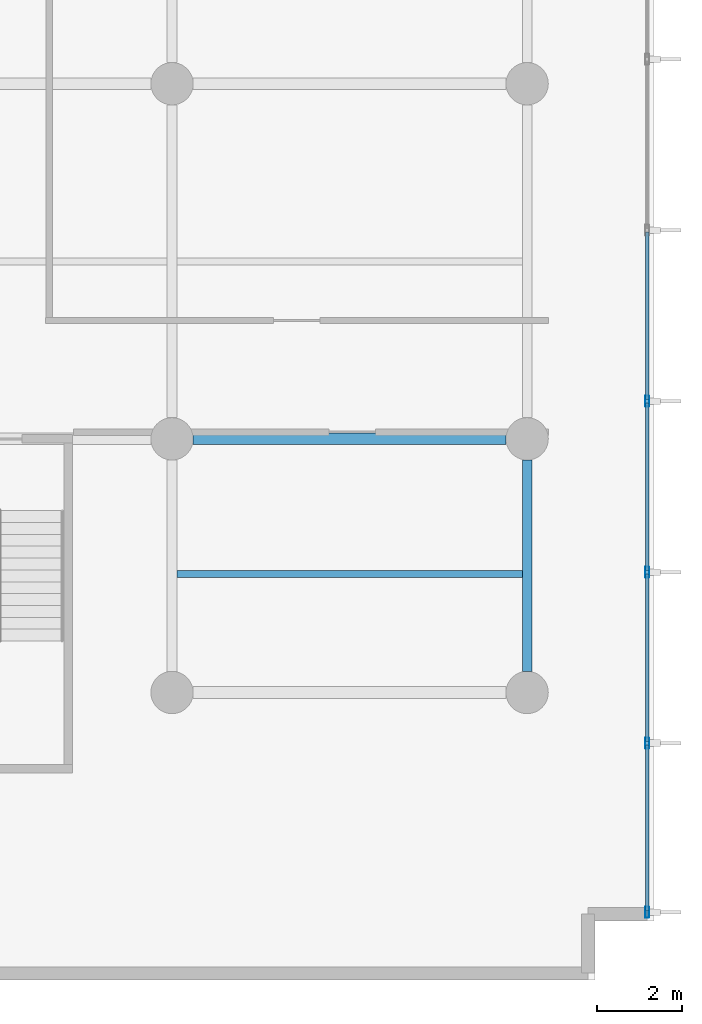
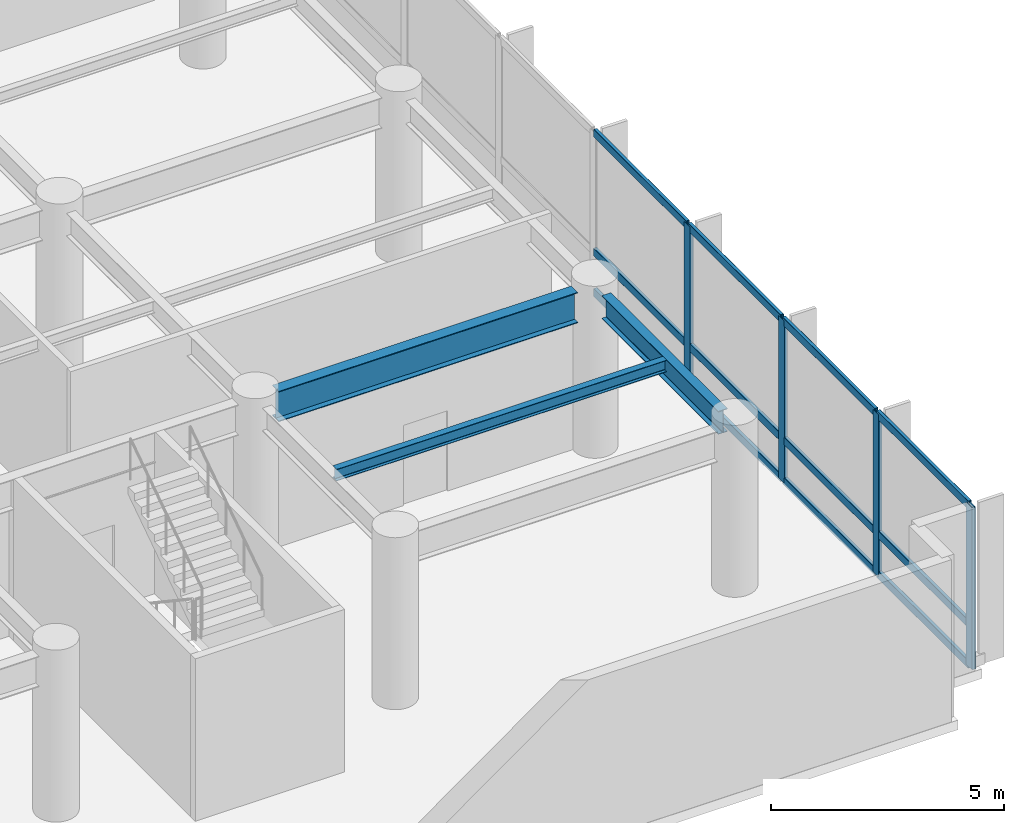
# One storey, part 7 of 26: 16 members, 3 beams, 1 element without a shape of its own.
"""IFC4 building model written with IfcOpenShell, lengths in metres."""

from ifc_helpers import new_model, si_unit, direction, frame, origin, origin_2d, place, context, subcontext, project, spatial, hollow_rectangle, i_section, extrude, material, layer, layer_set, material_profile, profile_set, type_object, element, aggregate, save


model = new_model("IFC4")

# Units and contexts
model_context = context("Model", 3, precision=1e-05, world=origin(), true_north=direction((0.0, 1.0)))
body_context = subcontext(model_context, "Body", "Model", "MODEL_VIEW")
ifc_project = project(units=[si_unit("LENGTHUNIT", "METRE"), si_unit("AREAUNIT", "SQUARE_METRE"), si_unit("VOLUMEUNIT", "CUBIC_METRE"), si_unit("PLANEANGLEUNIT", "RADIAN"), si_unit("MASSUNIT", "GRAM", prefix="KILO")], contexts=[model_context])

# Site, building, storey
site_placement = place(None, origin())
site = spatial("IfcSite", under=ifc_project, at=site_placement, CompositionType="ELEMENT")
building_placement = place(site_placement, origin())
building = spatial("IfcBuilding", under=site, at=building_placement, Name="Varnakote Quay Hospital", CompositionType="ELEMENT")
storey_placement = place(building_placement, frame((0.0, 0.0, 4.5)))
storey = spatial("IfcBuildingStorey", under=building, at=storey_placement, Name="L01", CompositionType="ELEMENT", Elevation=4.5)

# Beams
ifc_material_1 = material(Name="Structural steel AS/NZS 3679.1 Grade 350 L0 (fy 340 MPa)", Category="steel")
ifc_material_profile_1 = material_profile(ifc_material_1, i_section(OverallWidth=0.22802734375, OverallDepth=0.60205078125, WebThickness=0.010498046875, FlangeThickness=0.014892578125, FilletRadius=0.013916015625, at=origin_2d()), Name="610UB101")
ifc_profile_set_1 = profile_set([ifc_material_profile_1], Name="Structural steel AS/NZS 3679.1 Grade 350 L0 (fy 340 MPa)")
beam_type_1 = type_object("IfcBeamType", Name="BM-STL-610UB101", PredefinedType="BEAM", material=ifc_profile_set_1)
beam_1_placement = place(storey_placement, frame((84.0, 6.5, 3.948974609375), z_axis=(0.0, 1.0, 0.0), x_axis=(-1.0, 0.0, 0.0)))
element("IfcBeam", 1, at=beam_1_placement, inside=storey, type_object=beam_type_1, Name="L01 Primary Tie Beam", PredefinedType="BEAM", context=body_context, shape_type="SweptSolid", body=[
    extrude(i_section(OverallWidth=0.22802734375, OverallDepth=0.60205078125, WebThickness=0.010498046875, FlangeThickness=0.014892578125, FilletRadius=0.013916015625, at=origin_2d()), origin(), (0.0, 0.0, 1.0), 5.0),
])
ifc_material_2 = material(Name="Structural steel AS/NZS 3678 Grade 350 (fy 340 MPa)", Category="steel")
ifc_material_profile_2 = material_profile(ifc_material_2, i_section(OverallWidth=0.27490234375, OverallDepth=0.800048828125, WebThickness=0.010009765625, FlangeThickness=0.02001953125, at=origin_2d()), Name="800WB146")
ifc_profile_set_2 = profile_set([ifc_material_profile_2], Name="Structural steel AS/NZS 3678 Grade 350 (fy 340 MPa)")
beam_type_2 = type_object("IfcBeamType", Name="BM-STL-800WB146", PredefinedType="BEAM", material=ifc_profile_set_2)
beam_2_placement = place(storey_placement, frame((76.10009765625, 12.0, 3.85009765625), z_axis=(1.0, 0.0, 0.0), x_axis=(0.0, 1.0, 0.0)))
element("IfcBeam", 2, at=beam_2_placement, inside=storey, type_object=beam_type_2, Name="L01 Primary Floor Beam", PredefinedType="BEAM", context=body_context, shape_type="SweptSolid", body=[
    extrude(i_section(OverallWidth=0.27490234375, OverallDepth=0.800048828125, WebThickness=0.010009765625, FlangeThickness=0.02001953125, at=origin_2d()), origin(), (0.0, 0.0, 1.0), 7.39990234375),
])

# Curtain wall, members
ifc_material_3 = material(Name="Anodised aluminium 6063-T6 Bronze", Category="aluminium")
ifc_layer = layer(ifc_material_3, 0.175048828125)
ifc_layer_set = layer_set([ifc_layer], Name="Anodised aluminium 6063-T6 Bronze")
curtain_wall_type = type_object("IfcCurtainWallType", Name="CW-SYS-1", PredefinedType="NOTDEFINED", material=ifc_layer_set)
curtain_wall_placement = place(storey_placement, origin())
curtain_wall = element("IfcCurtainWall", 3, at=curtain_wall_placement, inside=storey, type_object=curtain_wall_type, Name="L01 Unitised Bronze Curtain Wall 1", PredefinedType="NOTDEFINED")
ifc_material_4 = material(Name="Anodised aluminium 6063-T6 Bronze", Category="aluminium")
ifc_material_profile_3 = material_profile(ifc_material_4, hollow_rectangle(XDim=0.0849609375, YDim=0.260009765625, WallThickness=0.0048828125, InnerFilletRadius=0.0048828125, OuterFilletRadius=0.010009765625, at=origin_2d()), Name="CW-MULL-260x85")
ifc_profile_set_3 = profile_set([ifc_material_profile_3], Name="Anodised aluminium 6063-T6 Bronze")
member_type_1 = type_object("IfcMemberType", Name="CW-MULL-260x85", PredefinedType="MULLION", material=ifc_profile_set_3)
member_1_placement = place(storey_placement, frame((86.840087890625, 0.802490234375, 0.0), z_axis=(0.0, 0.0, 1.0), x_axis=(-1.0, 0.0, 0.0)))
member_1 = element("IfcMember", 4, at=member_1_placement, type_object=member_type_1, Name="-1-L01-1 mullion 1", PredefinedType="MULLION", context=body_context, shape_type="SweptSolid", body=[
    extrude(hollow_rectangle(XDim=0.0849609375, YDim=0.260009765625, WallThickness=0.0048828125, InnerFilletRadius=0.0048828125, OuterFilletRadius=0.010009765625, at=origin_2d()), origin(), (0.0, 0.0, 1.0), 4.25),
])
member_2_placement = place(storey_placement, frame((86.840087890625, 4.8037109375, 0.0), z_axis=(0.0, 0.0, 1.0), x_axis=(-1.0, 0.0, 0.0)))
member_2 = element("IfcMember", 5, at=member_2_placement, type_object=member_type_1, Name="-1-L01-1 mullion 2", PredefinedType="MULLION", context=body_context, shape_type="SweptSolid", body=[
    extrude(hollow_rectangle(XDim=0.0849609375, YDim=0.260009765625, WallThickness=0.0048828125, InnerFilletRadius=0.0048828125, OuterFilletRadius=0.010009765625, at=origin_2d()), origin(), (0.0, 0.0, 1.0), 4.25),
])
member_3_placement = place(storey_placement, frame((86.840087890625, 8.84716796875, 0.0), z_axis=(0.0, 0.0, 1.0), x_axis=(-1.0, 0.0, 0.0)))
member_3 = element("IfcMember", 6, at=member_3_placement, type_object=member_type_1, Name="-1-L01-1 mullion 3", PredefinedType="MULLION", context=body_context, shape_type="SweptSolid", body=[
    extrude(hollow_rectangle(XDim=0.0849609375, YDim=0.260009765625, WallThickness=0.0048828125, InnerFilletRadius=0.0048828125, OuterFilletRadius=0.010009765625, at=origin_2d()), origin(), (0.0, 0.0, 1.0), 4.25),
])
member_4_placement = place(storey_placement, frame((86.840087890625, 12.890869140625, 0.0), z_axis=(0.0, 0.0, 1.0), x_axis=(-1.0, 0.0, 0.0)))
member_4 = element("IfcMember", 7, at=member_4_placement, type_object=member_type_1, Name="-1-L01-1 mullion 4", PredefinedType="MULLION", context=body_context, shape_type="SweptSolid", body=[
    extrude(hollow_rectangle(XDim=0.0849609375, YDim=0.260009765625, WallThickness=0.0048828125, InnerFilletRadius=0.0048828125, OuterFilletRadius=0.010009765625, at=origin_2d()), origin(), (0.0, 0.0, 1.0), 4.25),
])
ifc_material_5 = material(Name="Anodised aluminium 6063-T6 Bronze", Category="aluminium")
ifc_material_profile_4 = material_profile(ifc_material_5, hollow_rectangle(XDim=0.0849609375, YDim=0.2099609375, WallThickness=0.00439453125, InnerFilletRadius=0.00439453125, OuterFilletRadius=0.009033203125, at=origin_2d()), Name="CW-TRAN-210x85")
ifc_profile_set_4 = profile_set([ifc_material_profile_4], Name="Anodised aluminium 6063-T6 Bronze")
member_type_2 = type_object("IfcMemberType", Name="CW-TRAN-210x85", PredefinedType="USERDEFINED", material=ifc_profile_set_4)
member_5_placement = place(storey_placement, frame((86.840087890625, 0.844970703125, 0.04248046875), z_axis=(0.0, 1.0, 0.0), x_axis=(-1.0, 0.0, 0.0)))
member_5 = element("IfcMember", 8, at=member_5_placement, type_object=member_type_2, Name="-1-L01-1 transom 1.1", ObjectType="TRANSOM", PredefinedType="USERDEFINED", context=body_context, shape_type="SweptSolid", body=[
    extrude(hollow_rectangle(XDim=0.0849609375, YDim=0.2099609375, WallThickness=0.00439453125, InnerFilletRadius=0.00439453125, OuterFilletRadius=0.009033203125, at=origin_2d()), origin(), (0.0, 0.0, 1.0), 3.916259765625),
])
member_6_placement = place(storey_placement, frame((86.840087890625, 0.844970703125, 1.10009765625), z_axis=(0.0, 1.0, 0.0), x_axis=(-1.0, 0.0, 0.0)))
member_6 = element("IfcMember", 9, at=member_6_placement, type_object=member_type_2, Name="-1-L01-1 transom 1.2", ObjectType="TRANSOM", PredefinedType="USERDEFINED", context=body_context, shape_type="SweptSolid", body=[
    extrude(hollow_rectangle(XDim=0.0849609375, YDim=0.2099609375, WallThickness=0.00439453125, InnerFilletRadius=0.00439453125, OuterFilletRadius=0.009033203125, at=origin_2d()), origin(), (0.0, 0.0, 1.0), 3.916259765625),
])
member_7_placement = place(storey_placement, frame((86.840087890625, 0.844970703125, 4.20751953125), z_axis=(0.0, 1.0, 0.0), x_axis=(-1.0, 0.0, 0.0)))
member_7 = element("IfcMember", 10, at=member_7_placement, type_object=member_type_2, Name="-1-L01-1 transom 1.3", ObjectType="TRANSOM", PredefinedType="USERDEFINED", context=body_context, shape_type="SweptSolid", body=[
    extrude(hollow_rectangle(XDim=0.0849609375, YDim=0.2099609375, WallThickness=0.00439453125, InnerFilletRadius=0.00439453125, OuterFilletRadius=0.009033203125, at=origin_2d()), origin(), (0.0, 0.0, 1.0), 3.916259765625),
])
member_8_placement = place(storey_placement, frame((86.840087890625, 4.84619140625, 0.04248046875), z_axis=(0.0, 1.0, 0.0), x_axis=(-1.0, 0.0, 0.0)))
member_8 = element("IfcMember", 11, at=member_8_placement, type_object=member_type_2, Name="-1-L01-1 transom 2.1", ObjectType="TRANSOM", PredefinedType="USERDEFINED", context=body_context, shape_type="SweptSolid", body=[
    extrude(hollow_rectangle(XDim=0.0849609375, YDim=0.2099609375, WallThickness=0.00439453125, InnerFilletRadius=0.00439453125, OuterFilletRadius=0.009033203125, at=origin_2d()), origin(), (0.0, 0.0, 1.0), 3.95849609375),
])
member_9_placement = place(storey_placement, frame((86.840087890625, 4.84619140625, 1.10009765625), z_axis=(0.0, 1.0, 0.0), x_axis=(-1.0, 0.0, 0.0)))
member_9 = element("IfcMember", 12, at=member_9_placement, type_object=member_type_2, Name="-1-L01-1 transom 2.2", ObjectType="TRANSOM", PredefinedType="USERDEFINED", context=body_context, shape_type="SweptSolid", body=[
    extrude(hollow_rectangle(XDim=0.0849609375, YDim=0.2099609375, WallThickness=0.00439453125, InnerFilletRadius=0.00439453125, OuterFilletRadius=0.009033203125, at=origin_2d()), origin(), (0.0, 0.0, 1.0), 3.95849609375),
])
member_10_placement = place(storey_placement, frame((86.840087890625, 4.84619140625, 4.20751953125), z_axis=(0.0, 1.0, 0.0), x_axis=(-1.0, 0.0, 0.0)))
member_10 = element("IfcMember", 13, at=member_10_placement, type_object=member_type_2, Name="-1-L01-1 transom 2.3", ObjectType="TRANSOM", PredefinedType="USERDEFINED", context=body_context, shape_type="SweptSolid", body=[
    extrude(hollow_rectangle(XDim=0.0849609375, YDim=0.2099609375, WallThickness=0.00439453125, InnerFilletRadius=0.00439453125, OuterFilletRadius=0.009033203125, at=origin_2d()), origin(), (0.0, 0.0, 1.0), 3.95849609375),
])
member_11_placement = place(storey_placement, frame((86.840087890625, 8.889892578125, 0.04248046875), z_axis=(0.0, 1.0, 0.0), x_axis=(-1.0, 0.0, 0.0)))
member_11 = element("IfcMember", 14, at=member_11_placement, type_object=member_type_2, Name="-1-L01-1 transom 3.1", ObjectType="TRANSOM", PredefinedType="USERDEFINED", context=body_context, shape_type="SweptSolid", body=[
    extrude(hollow_rectangle(XDim=0.0849609375, YDim=0.2099609375, WallThickness=0.00439453125, InnerFilletRadius=0.00439453125, OuterFilletRadius=0.009033203125, at=origin_2d()), origin(), (0.0, 0.0, 1.0), 3.95849609375),
])
member_12_placement = place(storey_placement, frame((86.840087890625, 8.889892578125, 1.10009765625), z_axis=(0.0, 1.0, 0.0), x_axis=(-1.0, 0.0, 0.0)))
member_12 = element("IfcMember", 15, at=member_12_placement, type_object=member_type_2, Name="-1-L01-1 transom 3.2", ObjectType="TRANSOM", PredefinedType="USERDEFINED", context=body_context, shape_type="SweptSolid", body=[
    extrude(hollow_rectangle(XDim=0.0849609375, YDim=0.2099609375, WallThickness=0.00439453125, InnerFilletRadius=0.00439453125, OuterFilletRadius=0.009033203125, at=origin_2d()), origin(), (0.0, 0.0, 1.0), 3.95849609375),
])
member_13_placement = place(storey_placement, frame((86.840087890625, 8.889892578125, 4.20751953125), z_axis=(0.0, 1.0, 0.0), x_axis=(-1.0, 0.0, 0.0)))
member_13 = element("IfcMember", 16, at=member_13_placement, type_object=member_type_2, Name="-1-L01-1 transom 3.3", ObjectType="TRANSOM", PredefinedType="USERDEFINED", context=body_context, shape_type="SweptSolid", body=[
    extrude(hollow_rectangle(XDim=0.0849609375, YDim=0.2099609375, WallThickness=0.00439453125, InnerFilletRadius=0.00439453125, OuterFilletRadius=0.009033203125, at=origin_2d()), origin(), (0.0, 0.0, 1.0), 3.95849609375),
])
member_14_placement = place(storey_placement, frame((86.840087890625, 12.933349609375, 0.04248046875), z_axis=(0.0, 1.0, 0.0), x_axis=(-1.0, 0.0, 0.0)))
member_14 = element("IfcMember", 17, at=member_14_placement, type_object=member_type_2, Name="-1-L01-1 transom 4.1", ObjectType="TRANSOM", PredefinedType="USERDEFINED", context=body_context, shape_type="SweptSolid", body=[
    extrude(hollow_rectangle(XDim=0.0849609375, YDim=0.2099609375, WallThickness=0.00439453125, InnerFilletRadius=0.00439453125, OuterFilletRadius=0.009033203125, at=origin_2d()), origin(), (0.0, 0.0, 1.0), 3.958740234375),
])
member_15_placement = place(storey_placement, frame((86.840087890625, 12.933349609375, 1.10009765625), z_axis=(0.0, 1.0, 0.0), x_axis=(-1.0, 0.0, 0.0)))
member_15 = element("IfcMember", 18, at=member_15_placement, type_object=member_type_2, Name="-1-L01-1 transom 4.2", ObjectType="TRANSOM", PredefinedType="USERDEFINED", context=body_context, shape_type="SweptSolid", body=[
    extrude(hollow_rectangle(XDim=0.0849609375, YDim=0.2099609375, WallThickness=0.00439453125, InnerFilletRadius=0.00439453125, OuterFilletRadius=0.009033203125, at=origin_2d()), origin(), (0.0, 0.0, 1.0), 3.958740234375),
])
member_16_placement = place(storey_placement, frame((86.840087890625, 12.933349609375, 4.20751953125), z_axis=(0.0, 1.0, 0.0), x_axis=(-1.0, 0.0, 0.0)))
member_16 = element("IfcMember", 19, at=member_16_placement, type_object=member_type_2, Name="-1-L01-1 transom 4.3", ObjectType="TRANSOM", PredefinedType="USERDEFINED", context=body_context, shape_type="SweptSolid", body=[
    extrude(hollow_rectangle(XDim=0.0849609375, YDim=0.2099609375, WallThickness=0.00439453125, InnerFilletRadius=0.00439453125, OuterFilletRadius=0.009033203125, at=origin_2d()), origin(), (0.0, 0.0, 1.0), 3.958740234375),
])
aggregate(curtain_wall, [member_1, member_2, member_3, member_4, member_5, member_6, member_7, member_8, member_9, member_10, member_11, member_12, member_13, member_14, member_15, member_16])

# Beam
ifc_material_6 = material(Name="Structural steel AS/NZS 3679.1 Grade 350 L0 (fy 340 MPa)", Category="steel")
ifc_material_profile_5 = material_profile(ifc_material_6, i_section(OverallWidth=0.166015625, OverallDepth=0.306884765625, WebThickness=0.006591796875, FlangeThickness=0.01171875, FilletRadius=0.011474609375, at=origin_2d()), Name="310UB46.2")
ifc_profile_set_5 = profile_set([ifc_material_profile_5], Name="Structural steel AS/NZS 3679.1 Grade 350 L0 (fy 340 MPa)")
beam_type_3 = type_object("IfcBeamType", Name="JST-STL-310UB46-2", PredefinedType="JOIST", material=ifc_profile_set_5)
beam_3_placement = place(storey_placement, frame((75.714111328125, 8.800048828125, 4.096435546875), z_axis=(1.0, 0.0, 0.0), x_axis=(0.0, 1.0, 0.0)))
element("IfcBeam", 20, at=beam_3_placement, inside=storey, type_object=beam_type_3, Name="L01 Composite Floor Joist", PredefinedType="JOIST", context=body_context, shape_type="SweptSolid", body=[
    extrude(i_section(OverallWidth=0.166015625, OverallDepth=0.306884765625, WebThickness=0.006591796875, FlangeThickness=0.01171875, FilletRadius=0.011474609375, at=origin_2d()), origin(), (0.0, 0.0, 1.0), 8.171875),
])

save(model, "model.ifc")
